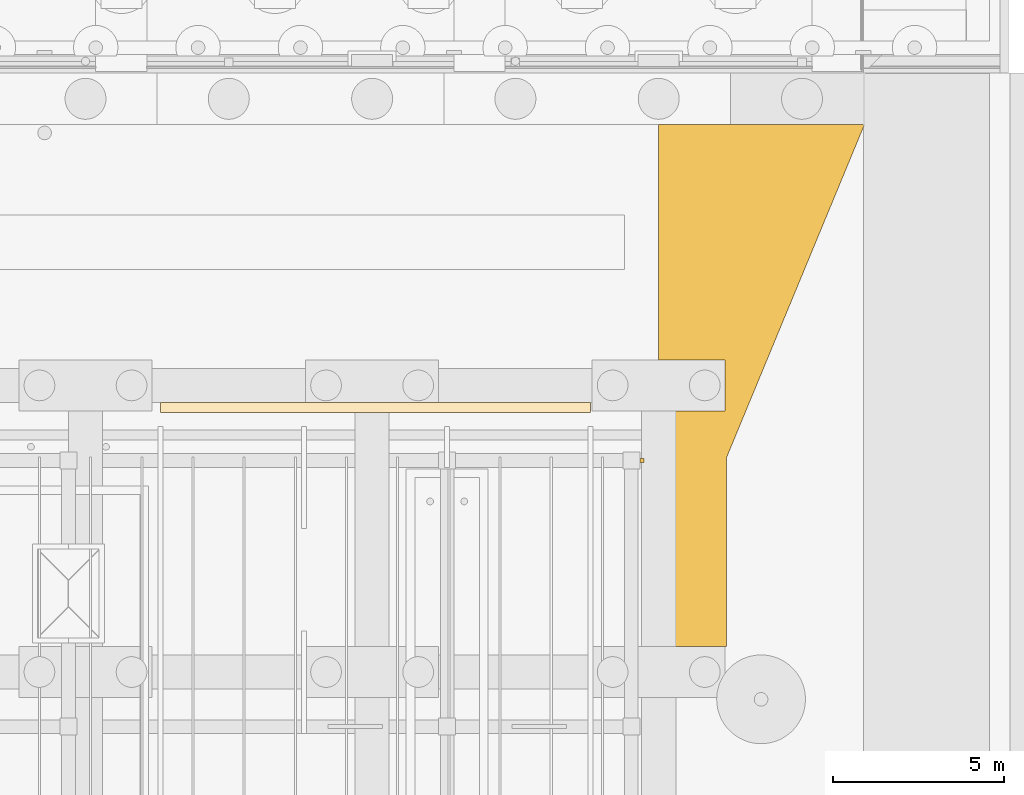
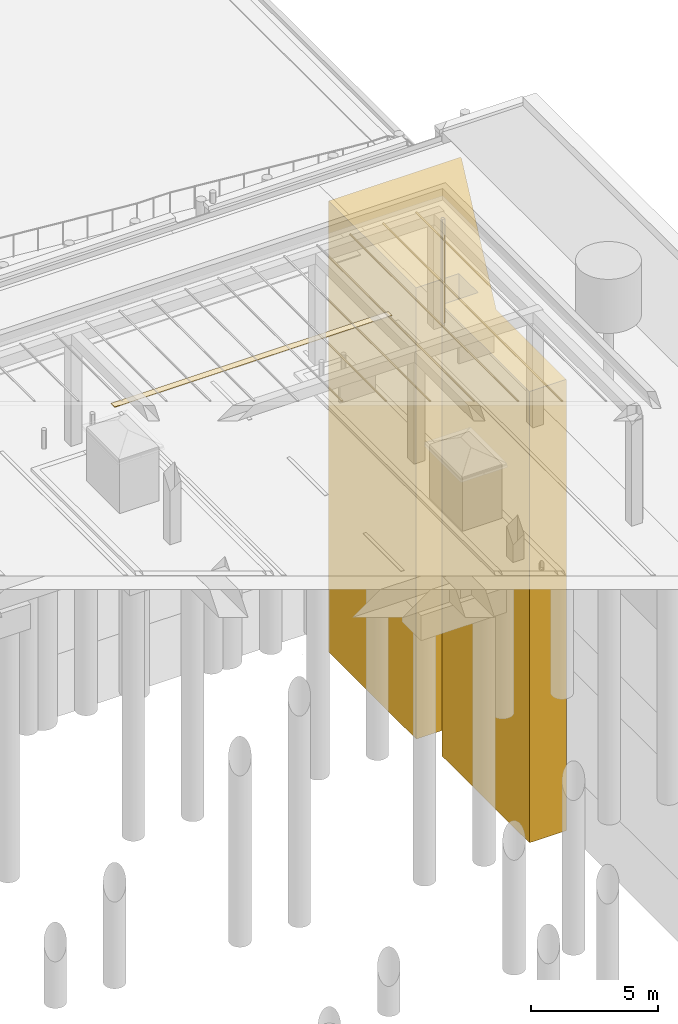
# One storey, part 172 of 222: 3 coverings.
"""IFC4 building model written with IfcOpenShell, lengths in metres."""

from ifc_helpers import new_model, si_unit, direction, frame, origin, origin_2d, place, context, subcontext, project, spatial, polyline, rectangle, outline, extrude, material, layer, layer_set, type_object, element, save


model = new_model("IFC4")

# Units and contexts
model_context = context("Model", 3, precision=1e-05, world=origin(), true_north=direction((0.0, 1.0)))
body_context = subcontext(model_context, "Body", "Model", "MODEL_VIEW")
ifc_project = project(units=[si_unit("LENGTHUNIT", "METRE"), si_unit("AREAUNIT", "SQUARE_METRE"), si_unit("VOLUMEUNIT", "CUBIC_METRE"), si_unit("PLANEANGLEUNIT", "RADIAN"), si_unit("MASSUNIT", "GRAM", prefix="KILO")], contexts=[model_context])

# Site, building, storey
site_placement = place(None, origin())
site = spatial("IfcSite", under=ifc_project, at=site_placement, CompositionType="ELEMENT")
building_placement = place(site_placement, origin())
building = spatial("IfcBuilding", under=site, at=building_placement, Name="Sava Quay Ferry Terminal", CompositionType="ELEMENT")
storey_placement = place(building_placement, origin())
storey = spatial("IfcBuildingStorey", under=building, at=storey_placement, Name="L00", CompositionType="ELEMENT", Elevation=0.0)

# Coverings
ifc_material_1 = material(Name="Compacted gravel fill")
ifc_layer_1 = layer(ifc_material_1, 21.699951171875)
ifc_layer_set_1 = layer_set([ifc_layer_1], Name="Compacted gravel fill")
covering_type_1 = type_object("IfcCoveringType", Name="Made ground under the lawn corner", PredefinedType="CLADDING", material=ifc_layer_set_1)
covering_1_placement = place(storey_placement, frame((0.0, 0.0, -22.0)))
element("IfcCovering", 1, at=covering_1_placement, inside=storey, type_object=covering_type_1, Name="Made ground under the lawn corner", PredefinedType="CLADDING", context=body_context, shape_type="SweptSolid", body=[
    extrude(outline(polyline([(169.97998046875, 101.550048828125), (169.97998046875, 107.06591796875), (174.0, 116.77197265625), (174.0, 116.85009765625), (168.0, 116.85009765625), (168.0, 109.949951171875), (169.949951171875, 109.949951171875), (169.949951171875, 108.449951171875), (168.300048828125, 108.449951171875), (168.300048828125, 101.550048828125), (169.97998046875, 101.550048828125)])), origin(), (0.0, 0.0, 1.0), 21.699951171875),
])
ifc_material_2 = material(Name="Zinc standing seam")
ifc_layer_2 = layer(ifc_material_2, 0.1201171875)
ifc_layer_set_2 = layer_set([ifc_layer_2], Name="Zinc standing seam")
covering_type_2 = type_object("IfcCoveringType", Name="Rainwater pipe 120", PredefinedType="CLADDING", material=ifc_layer_set_2)
covering_2_placement = place(storey_placement, frame((167.510009765625, 107.0, 0.0), z_axis=(0.0, 0.0, 1.0), x_axis=(1.0, 0.0, 0.0)))
element("IfcCovering", 2, at=covering_2_placement, inside=storey, type_object=covering_type_2, Name="Rainwater pipe", PredefinedType="CLADDING", context=body_context, shape_type="SweptSolid", body=[
    extrude(rectangle(XDim=0.1201171875, YDim=0.1201171875, at=origin_2d()), origin(), (0.0, 0.0, 1.0), 5.0),
])
ifc_material_3 = material(Name="Road marking paint")
ifc_layer_3 = layer(ifc_material_3, 0.02001953125)
ifc_layer_set_3 = layer_set([ifc_layer_3], Name="Road marking paint")
covering_type_3 = type_object("IfcCoveringType", Name="Stop line 300", PredefinedType="FLOORING", material=ifc_layer_set_3)
covering_3_placement = place(storey_placement, origin())
element("IfcCovering", 3, at=covering_3_placement, inside=storey, type_object=covering_type_3, Name="Stop line", PredefinedType="FLOORING", context=body_context, shape_type="SweptSolid", body=[
    extrude(outline(polyline([(153.39990234375, 108.699951171875), (153.39990234375, 108.39990234375), (166.0, 108.39990234375), (166.0, 108.699951171875), (153.39990234375, 108.699951171875)])), origin(), (0.0, 0.0, 1.0), 0.02001953125),
])

save(model, "model.ifc")
